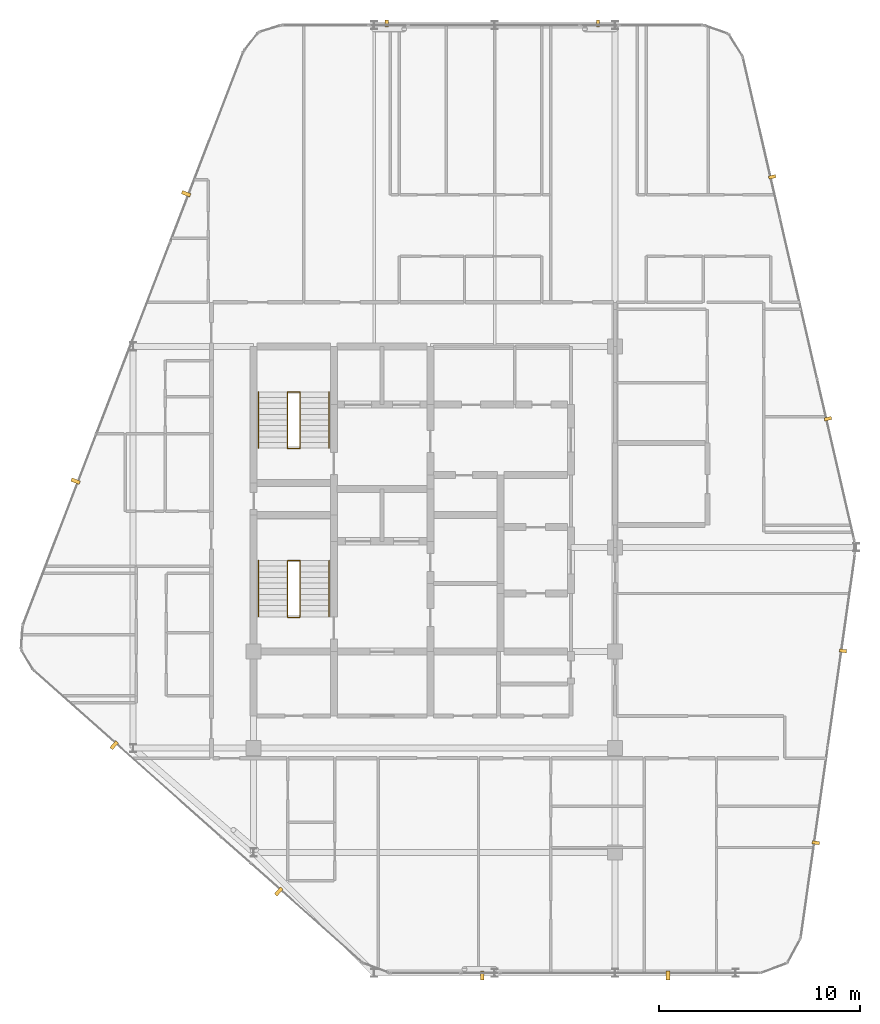
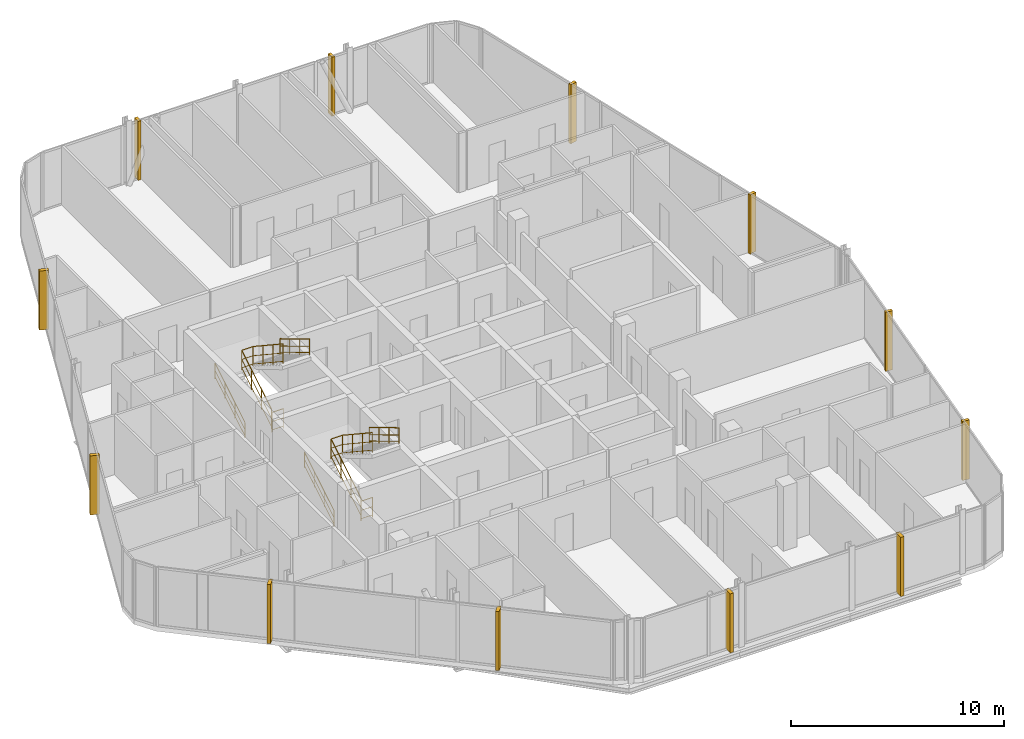
# One storey, part 28 of 28: 12 coverings, 8 railings.
"""IFC4 building model written with IfcOpenShell, lengths in metres."""

from ifc_helpers import new_model, si_unit, direction, frame, origin, origin_2d, place, context, subcontext, project, spatial, rectangle, circle, extrude, material, layer, layer_set, type_object, element, save


model = new_model("IFC4")

# Units and contexts
model_context = context("Model", 3, precision=1e-05, world=origin(), true_north=direction((0.0, 1.0)))
body_context = subcontext(model_context, "Body", "Model", "MODEL_VIEW")
ifc_project = project(units=[si_unit("LENGTHUNIT", "METRE"), si_unit("AREAUNIT", "SQUARE_METRE"), si_unit("VOLUMEUNIT", "CUBIC_METRE"), si_unit("PLANEANGLEUNIT", "RADIAN"), si_unit("MASSUNIT", "GRAM", prefix="KILO")], contexts=[model_context])

# Site, building, storey
site_placement = place(None, origin())
site = spatial("IfcSite", under=ifc_project, at=site_placement, CompositionType="ELEMENT")
building_placement = place(site_placement, origin())
building = spatial("IfcBuilding", under=site, at=building_placement, Name="Keshet Zoharim Tower", CompositionType="ELEMENT")
storey_placement = place(building_placement, frame((0.0, 0.0, 265.800048828125)))
storey = spatial("IfcBuildingStorey", under=building, at=storey_placement, Name="L66", CompositionType="ELEMENT", Elevation=265.800048828125)

# Coverings
ifc_material_1 = material(Name="Concrete C50/60 precast", Category="concrete")
covering_type_1 = type_object("IfcCoveringType", Name="FIN-SOL-360", PredefinedType="CLADDING", material=ifc_material_1)
for number, where, z_axis, x_axis, name in (
    (1, (21.633056640625, 53.97998046875, 0.0), (0.0, 0.0, 1.0), (1.0, 0.0, 0.0), "L66 Vertical Precast Solar Fin 03"),
    (2, (32.14990234375, 53.97998046875, 0.0), (0.0, 0.0, 1.0), (1.0, 0.0, 0.0), "L66 Vertical Precast Solar Fin 04"),
    (3, (40.824951171875, 46.345947265625, 0.0), (0.0, 0.0, 1.0), (0.224829963294, -0.974398012932, 0.0), "L66 Vertical Precast Solar Fin 05"),
    (4, (43.60400390625, 34.302001953125, 0.0), (0.0, 0.0, 1.0), (0.224829963294, -0.974398012932, 0.0), "L66 Vertical Precast Solar Fin 06"),
    (5, (44.35107421875, 22.742919921875, 0.0), (0.0, 0.0, 1.0), (-0.140137464177, -0.990132057422, 0.0), "L66 Vertical Precast Solar Fin 07"),
    (6, (42.998046875, 13.18701171875, 0.0), (0.0, 0.0, 1.0), (-0.140137464177, -0.990132057422, 0.0), "L66 Vertical Precast Solar Fin 08"),
):
    element("IfcCovering", number, at=place(storey_placement, frame(where, z_axis=z_axis, x_axis=x_axis)), inside=storey, type_object=covering_type_1, Name=name, PredefinedType="CLADDING", context=body_context, shape_type="SweptSolid", body=[
        extrude(rectangle(XDim=0.159912109375, YDim=0.360107421875, at=origin_2d()), origin(), (0.0, 0.0, 1.0), 3.389892578125),
    ])
covering_type_2 = type_object("IfcCoveringType", Name="FIN-SOL-450", PredefinedType="CLADDING", material=ifc_material_1)
for number, where, z_axis, x_axis, name in (
    (7, (6.133056640625, 31.194091796875, 0.0), (0.0, 0.0, 1.0), (0.358990003907, 0.933341404361, 0.0), "L66 Vertical Precast Solar Fin 01"),
    (8, (11.637939453125, 45.507080078125, 0.0), (0.0, 0.0, 1.0), (0.358990003907, 0.933341404361, 0.0), "L66 Vertical Precast Solar Fin 02"),
    (9, (35.636962890625, 6.574951171875, 0.0), (0.0, 0.0, 1.0), (-1.0, 0.0, 0.0), "L66 Vertical Precast Solar Fin 09"),
    (10, (26.385986328125, 6.574951171875, 0.0), (0.0, 0.0, 1.0), (-1.0, 0.0, 0.0), "L66 Vertical Precast Solar Fin 10"),
    (11, (16.25, 10.7548828125, 0.0), (0.0, 0.0, 1.0), (-0.747411833563, 0.66436100958, 0.0), "L66 Vertical Precast Solar Fin 11"),
    (12, (8.051025390625, 18.04296875, 0.0), (0.0, 0.0, 1.0), (-0.747411833563, 0.66436100958, 0.0), "L66 Vertical Precast Solar Fin 12"),
):
    element("IfcCovering", number, at=place(storey_placement, frame(where, z_axis=z_axis, x_axis=x_axis)), inside=storey, type_object=covering_type_2, Name=name, PredefinedType="CLADDING", context=body_context, shape_type="SweptSolid", body=[
        extrude(rectangle(XDim=0.179931640625, YDim=0.449951171875, at=origin_2d()), origin(), (0.0, 0.0, 1.0), 3.389892578125),
    ])

# Railings
ifc_material_2 = material(Name="Steel S355", Category="steel")
ifc_layer_1 = layer(ifc_material_2, 0.050048828125)
ifc_layer_set_1 = layer_set([ifc_layer_1], Name="Steel S355")
railing_type_1 = type_object("IfcRailingType", Name="RL-HND-092", PredefinedType="HANDRAIL", material=ifc_layer_set_1)
railing_1_placement = place(storey_placement, frame((15.239990234375, 24.43994140625, 0.168212890625)))
element("IfcRailing", 13, at=railing_1_placement, inside=storey, type_object=railing_type_1, Name="L66 ST-01 Flight 1 Wall Handrail", PredefinedType="HANDRAIL", context=body_context, shape_type="SweptSolid", body=[
    extrude(circle(Radius=0.02392578125, at=origin_2d()), frame((0.0, 0.0, 0.89599609375), z_axis=(0.0, 0.857275202839, 0.514858452973), x_axis=(-1.0, 0.0, 0.0)), (0.0, 0.0, 1.0), 3.26611328125),
    extrude(circle(Radius=0.01611328125, at=origin_2d()), frame((0.0, 0.0, 0.478271484375), z_axis=(0.0, 0.857275202839, 0.514858452973), x_axis=(-1.0, 0.0, 0.0)), (0.0, 0.0, 1.0), 3.26611328125),
    extrude(circle(Radius=0.01611328125, at=origin_2d()), frame((0.0, 0.0, 0.1201171875), z_axis=(0.0, 0.857275202839, 0.514858452973), x_axis=(-1.0, 0.0, 0.0)), (0.0, 0.0, 1.0), 3.26611328125),
    extrude(circle(Radius=0.02099609375, at=origin_2d()), origin(), (0.0, 0.0, 1.0), 0.871826171875),
    extrude(circle(Radius=0.02099609375, at=origin_2d()), frame((0.0, 0.933349609375, 0.560546875)), (0.0, 0.0, 1.0), 0.871826171875),
    extrude(circle(Radius=0.02099609375, at=origin_2d()), frame((0.0, 1.86669921875, 1.12109375)), (0.0, 0.0, 1.0), 0.871826171875),
    extrude(circle(Radius=0.02099609375, at=origin_2d()), frame((0.0, 2.800048828125, 1.681640625)), (0.0, 0.0, 1.0), 0.871826171875),
])
railing_2_placement = place(storey_placement, frame((18.760009765625, 27.239990234375, 2.01806640625)))
element("IfcRailing", 14, at=railing_2_placement, inside=storey, type_object=railing_type_1, Name="L66 ST-01 Flight 2 Wall Handrail", PredefinedType="HANDRAIL", context=body_context, shape_type="SweptSolid", body=[
    extrude(circle(Radius=0.02392578125, at=origin_2d()), frame((0.0, 0.0, 0.89599609375), z_axis=(0.0, -0.857242210791, 0.514913383045), x_axis=(1.0, 0.0, 0.0)), (0.0, 0.0, 1.0), 3.266357421875),
    extrude(circle(Radius=0.01611328125, at=origin_2d()), frame((0.0, 0.0, 0.478271484375), z_axis=(0.0, -0.857242210791, 0.514913383045), x_axis=(1.0, 0.0, 0.0)), (0.0, 0.0, 1.0), 3.266357421875),
    extrude(circle(Radius=0.01611328125, at=origin_2d()), frame((0.0, 0.0, 0.1201171875), z_axis=(0.0, -0.857242210791, 0.514913383045), x_axis=(1.0, 0.0, 0.0)), (0.0, 0.0, 1.0), 3.266357421875),
    extrude(circle(Radius=0.02099609375, at=origin_2d()), origin(), (0.0, 0.0, 1.0), 0.871826171875),
    extrude(circle(Radius=0.02099609375, at=origin_2d()), frame((0.0, -0.933349609375, 0.560546875)), (0.0, 0.0, 1.0), 0.871826171875),
    extrude(circle(Radius=0.02099609375, at=origin_2d()), frame((0.0, -1.86669921875, 1.121337890625)), (0.0, 0.0, 1.0), 0.871826171875),
    extrude(circle(Radius=0.02099609375, at=origin_2d()), frame((0.0, -2.800048828125, 1.681884765625)), (0.0, 0.0, 1.0), 0.871826171875),
])
railing_3_placement = place(storey_placement, frame((15.239990234375, 32.840087890625, 0.168212890625)))
element("IfcRailing", 15, at=railing_3_placement, inside=storey, type_object=railing_type_1, Name="L66 ST-02 Flight 1 Wall Handrail", PredefinedType="HANDRAIL", context=body_context, shape_type="SweptSolid", body=[
    extrude(circle(Radius=0.02392578125, at=origin_2d()), frame((0.0, 0.0, 0.89599609375), z_axis=(0.0, 0.857255387014, 0.514891446264), x_axis=(-1.0, 0.0, 0.0)), (0.0, 0.0, 1.0), 3.26611328125),
    extrude(circle(Radius=0.01611328125, at=origin_2d()), frame((0.0, 0.0, 0.478271484375), z_axis=(0.0, 0.857255387014, 0.514891446264), x_axis=(-1.0, 0.0, 0.0)), (0.0, 0.0, 1.0), 3.26611328125),
    extrude(circle(Radius=0.01611328125, at=origin_2d()), frame((0.0, 0.0, 0.1201171875), z_axis=(0.0, 0.857255387014, 0.514891446264), x_axis=(-1.0, 0.0, 0.0)), (0.0, 0.0, 1.0), 3.26611328125),
    extrude(circle(Radius=0.02099609375, at=origin_2d()), origin(), (0.0, 0.0, 1.0), 0.871826171875),
    extrude(circle(Radius=0.02099609375, at=origin_2d()), frame((0.0, 0.933349609375, 0.560546875)), (0.0, 0.0, 1.0), 0.871826171875),
    extrude(circle(Radius=0.02099609375, at=origin_2d()), frame((0.0, 1.866455078125, 1.12109375)), (0.0, 0.0, 1.0), 0.871826171875),
    extrude(circle(Radius=0.02099609375, at=origin_2d()), frame((0.0, 2.7998046875, 1.681640625)), (0.0, 0.0, 1.0), 0.871826171875),
])
railing_4_placement = place(storey_placement, frame((18.760009765625, 35.639892578125, 2.01806640625)))
element("IfcRailing", 16, at=railing_4_placement, inside=storey, type_object=railing_type_1, Name="L66 ST-02 Flight 2 Wall Handrail", PredefinedType="HANDRAIL", context=body_context, shape_type="SweptSolid", body=[
    extrude(circle(Radius=0.02392578125, at=origin_2d()), frame((0.0, 0.0, 0.89599609375), z_axis=(0.0, -0.857222391501, 0.514946377315), x_axis=(1.0, 0.0, 0.0)), (0.0, 0.0, 1.0), 3.26611328125),
    extrude(circle(Radius=0.01611328125, at=origin_2d()), frame((0.0, 0.0, 0.478271484375), z_axis=(0.0, -0.857222391501, 0.514946377315), x_axis=(1.0, 0.0, 0.0)), (0.0, 0.0, 1.0), 3.26611328125),
    extrude(circle(Radius=0.01611328125, at=origin_2d()), frame((0.0, 0.0, 0.1201171875), z_axis=(0.0, -0.857222391501, 0.514946377315), x_axis=(1.0, 0.0, 0.0)), (0.0, 0.0, 1.0), 3.26611328125),
    extrude(circle(Radius=0.02099609375, at=origin_2d()), origin(), (0.0, 0.0, 1.0), 0.871826171875),
    extrude(circle(Radius=0.02099609375, at=origin_2d()), frame((0.0, -0.933349609375, 0.560546875)), (0.0, 0.0, 1.0), 0.871826171875),
    extrude(circle(Radius=0.02099609375, at=origin_2d()), frame((0.0, -1.866455078125, 1.121337890625)), (0.0, 0.0, 1.0), 0.871826171875),
    extrude(circle(Radius=0.02099609375, at=origin_2d()), frame((0.0, -2.7998046875, 1.681884765625)), (0.0, 0.0, 1.0), 0.871826171875),
])
ifc_layer_2 = layer(ifc_material_2, 0.06005859375)
ifc_layer_set_2 = layer_set([ifc_layer_2], Name="Steel S355")
railing_type_2 = type_object("IfcRailingType", Name="RL-STG-115", PredefinedType="GUARDRAIL", material=ifc_layer_set_2)
railing_5_placement = place(storey_placement, frame((16.68994140625, 24.43994140625, 0.168212890625)))
element("IfcRailing", 17, at=railing_5_placement, inside=storey, type_object=railing_type_2, Name="L66 ST-01 Inner Well Guardrail", PredefinedType="GUARDRAIL", context=body_context, shape_type="SweptSolid", body=[
    extrude(circle(Radius=0.02392578125, at=origin_2d()), frame((0.0, 0.0, 1.1259765625), z_axis=(0.0, 0.857275202839, 0.514858452973), x_axis=(-1.0, 0.0, 0.0)), (0.0, 0.0, 1.0), 3.26611328125),
    extrude(circle(Radius=0.01611328125, at=origin_2d()), frame((0.0, 0.0, 0.597900390625), z_axis=(0.0, 0.857275202839, 0.514858452973), x_axis=(-1.0, 0.0, 0.0)), (0.0, 0.0, 1.0), 3.26611328125),
    extrude(circle(Radius=0.01611328125, at=origin_2d()), frame((0.0, 0.0, 0.1201171875), z_axis=(0.0, 0.857275202839, 0.514858452973), x_axis=(-1.0, 0.0, 0.0)), (0.0, 0.0, 1.0), 3.26611328125),
    extrude(circle(Radius=0.02392578125, at=origin_2d()), frame((0.0, 2.800048828125, 2.8076171875), z_axis=(1.0, 0.0, 0.0), x_axis=(0.0, 1.0, 0.0)), (0.0, 0.0, 1.0), 0.6201171875),
    extrude(circle(Radius=0.01611328125, at=origin_2d()), frame((0.0, 2.800048828125, 2.279541015625), z_axis=(1.0, 0.0, 0.0), x_axis=(0.0, 1.0, 0.0)), (0.0, 0.0, 1.0), 0.6201171875),
    extrude(circle(Radius=0.01611328125, at=origin_2d()), frame((0.0, 2.800048828125, 1.8017578125), z_axis=(1.0, 0.0, 0.0), x_axis=(0.0, 1.0, 0.0)), (0.0, 0.0, 1.0), 0.6201171875),
    extrude(circle(Radius=0.02392578125, at=origin_2d()), frame((0.6201171875, 2.800048828125, 2.8076171875), z_axis=(0.0, -0.834326358476, 0.551270829586), x_axis=(1.0, 0.0, 0.0)), (0.0, 0.0, 1.0), 3.35595703125),
    extrude(circle(Radius=0.01611328125, at=origin_2d()), frame((0.6201171875, 2.800048828125, 2.279541015625), z_axis=(0.0, -0.834326358476, 0.551270829586), x_axis=(1.0, 0.0, 0.0)), (0.0, 0.0, 1.0), 3.35595703125),
    extrude(circle(Radius=0.01611328125, at=origin_2d()), frame((0.6201171875, 2.800048828125, 1.8017578125), z_axis=(0.0, -0.834326358476, 0.551270829586), x_axis=(1.0, 0.0, 0.0)), (0.0, 0.0, 1.0), 3.35595703125),
    extrude(circle(Radius=0.02099609375, at=origin_2d()), origin(), (0.0, 0.0, 1.0), 1.101806640625),
    extrude(circle(Radius=0.02099609375, at=origin_2d()), frame((0.0, 0.933349609375, 0.560546875)), (0.0, 0.0, 1.0), 1.101806640625),
    extrude(circle(Radius=0.02099609375, at=origin_2d()), frame((0.0, 1.86669921875, 1.12109375)), (0.0, 0.0, 1.0), 1.101806640625),
    extrude(circle(Radius=0.02099609375, at=origin_2d()), frame((0.0, 2.800048828125, 1.681640625)), (0.0, 0.0, 1.0), 1.101806640625),
    extrude(circle(Radius=0.02099609375, at=origin_2d()), frame((0.6201171875, 2.800048828125, 1.681640625)), (0.0, 0.0, 1.0), 1.101806640625),
    extrude(circle(Radius=0.02099609375, at=origin_2d()), frame((0.6201171875, 1.86669921875, 2.29833984375)), (0.0, 0.0, 1.0), 1.101806640625),
    extrude(circle(Radius=0.02099609375, at=origin_2d()), frame((0.6201171875, 0.933349609375, 2.9150390625)), (0.0, 0.0, 1.0), 1.101806640625),
    extrude(circle(Radius=0.02099609375, at=origin_2d()), frame((0.6201171875, 0.0, 3.53173828125)), (0.0, 0.0, 1.0), 1.101806640625),
])
railing_6_placement = place(storey_placement, frame((16.68994140625, 24.409912109375, 0.0)))
element("IfcRailing", 18, at=railing_6_placement, inside=storey, type_object=railing_type_2, Name="L66 ST-01 Stairwell Floor Guardrail", PredefinedType="GUARDRAIL", context=body_context, shape_type="SweptSolid", body=[
    extrude(circle(Radius=0.02392578125, at=origin_2d()), frame((0.0, 0.0, 1.1259765625), z_axis=(1.0, 0.0, 0.0), x_axis=(0.0, 1.0, 0.0)), (0.0, 0.0, 1.0), 0.6201171875),
    extrude(circle(Radius=0.01611328125, at=origin_2d()), frame((0.0, 0.0, 0.597900390625), z_axis=(1.0, 0.0, 0.0), x_axis=(0.0, 1.0, 0.0)), (0.0, 0.0, 1.0), 0.6201171875),
    extrude(circle(Radius=0.01611328125, at=origin_2d()), frame((0.0, 0.0, 0.1201171875), z_axis=(1.0, 0.0, 0.0), x_axis=(0.0, 1.0, 0.0)), (0.0, 0.0, 1.0), 0.6201171875),
    extrude(circle(Radius=0.02099609375, at=origin_2d()), origin(), (0.0, 0.0, 1.0), 1.101806640625),
    extrude(circle(Radius=0.02099609375, at=origin_2d()), frame((0.6201171875, 0.0, 0.0)), (0.0, 0.0, 1.0), 1.101806640625),
])
railing_7_placement = place(storey_placement, frame((16.68994140625, 32.840087890625, 0.168212890625)))
element("IfcRailing", 19, at=railing_7_placement, inside=storey, type_object=railing_type_2, Name="L66 ST-02 Inner Well Guardrail", PredefinedType="GUARDRAIL", context=body_context, shape_type="SweptSolid", body=[
    extrude(circle(Radius=0.02392578125, at=origin_2d()), frame((0.0, 0.0, 1.1259765625), z_axis=(0.0, 0.857255387014, 0.514891446264), x_axis=(-1.0, 0.0, 0.0)), (0.0, 0.0, 1.0), 3.26611328125),
    extrude(circle(Radius=0.01611328125, at=origin_2d()), frame((0.0, 0.0, 0.597900390625), z_axis=(0.0, 0.857255387014, 0.514891446264), x_axis=(-1.0, 0.0, 0.0)), (0.0, 0.0, 1.0), 3.26611328125),
    extrude(circle(Radius=0.01611328125, at=origin_2d()), frame((0.0, 0.0, 0.1201171875), z_axis=(0.0, 0.857255387014, 0.514891446264), x_axis=(-1.0, 0.0, 0.0)), (0.0, 0.0, 1.0), 3.26611328125),
    extrude(circle(Radius=0.02392578125, at=origin_2d()), frame((0.0, 2.7998046875, 2.8076171875), z_axis=(1.0, 0.0, 0.0), x_axis=(0.0, 1.0, 0.0)), (0.0, 0.0, 1.0), 0.6201171875),
    extrude(circle(Radius=0.01611328125, at=origin_2d()), frame((0.0, 2.7998046875, 2.279541015625), z_axis=(1.0, 0.0, 0.0), x_axis=(0.0, 1.0, 0.0)), (0.0, 0.0, 1.0), 0.6201171875),
    extrude(circle(Radius=0.01611328125, at=origin_2d()), frame((0.0, 2.7998046875, 1.8017578125), z_axis=(1.0, 0.0, 0.0), x_axis=(0.0, 1.0, 0.0)), (0.0, 0.0, 1.0), 0.6201171875),
    extrude(circle(Radius=0.02392578125, at=origin_2d()), frame((0.6201171875, 2.7998046875, 2.8076171875), z_axis=(0.0, -0.834304248922, 0.551304290053), x_axis=(1.0, 0.0, 0.0)), (0.0, 0.0, 1.0), 3.35595703125),
    extrude(circle(Radius=0.01611328125, at=origin_2d()), frame((0.6201171875, 2.7998046875, 2.279541015625), z_axis=(0.0, -0.834304248922, 0.551304290053), x_axis=(1.0, 0.0, 0.0)), (0.0, 0.0, 1.0), 3.35595703125),
    extrude(circle(Radius=0.01611328125, at=origin_2d()), frame((0.6201171875, 2.7998046875, 1.8017578125), z_axis=(0.0, -0.834304248922, 0.551304290053), x_axis=(1.0, 0.0, 0.0)), (0.0, 0.0, 1.0), 3.35595703125),
    extrude(circle(Radius=0.02099609375, at=origin_2d()), origin(), (0.0, 0.0, 1.0), 1.101806640625),
    extrude(circle(Radius=0.02099609375, at=origin_2d()), frame((0.0, 0.933349609375, 0.560546875)), (0.0, 0.0, 1.0), 1.101806640625),
    extrude(circle(Radius=0.02099609375, at=origin_2d()), frame((0.0, 1.866455078125, 1.12109375)), (0.0, 0.0, 1.0), 1.101806640625),
    extrude(circle(Radius=0.02099609375, at=origin_2d()), frame((0.0, 2.7998046875, 1.681640625)), (0.0, 0.0, 1.0), 1.101806640625),
    extrude(circle(Radius=0.02099609375, at=origin_2d()), frame((0.6201171875, 2.7998046875, 1.681640625)), (0.0, 0.0, 1.0), 1.101806640625),
    extrude(circle(Radius=0.02099609375, at=origin_2d()), frame((0.6201171875, 1.866455078125, 2.29833984375)), (0.0, 0.0, 1.0), 1.101806640625),
    extrude(circle(Radius=0.02099609375, at=origin_2d()), frame((0.6201171875, 0.933349609375, 2.9150390625)), (0.0, 0.0, 1.0), 1.101806640625),
    extrude(circle(Radius=0.02099609375, at=origin_2d()), frame((0.6201171875, 0.0, 3.53173828125)), (0.0, 0.0, 1.0), 1.101806640625),
])
railing_8_placement = place(storey_placement, frame((16.68994140625, 32.81005859375, 0.0)))
element("IfcRailing", 20, at=railing_8_placement, inside=storey, type_object=railing_type_2, Name="L66 ST-02 Stairwell Floor Guardrail", PredefinedType="GUARDRAIL", context=body_context, shape_type="SweptSolid", body=[
    extrude(circle(Radius=0.02392578125, at=origin_2d()), frame((0.0, 0.0, 1.1259765625), z_axis=(1.0, 0.0, 0.0), x_axis=(0.0, 1.0, 0.0)), (0.0, 0.0, 1.0), 0.6201171875),
    extrude(circle(Radius=0.01611328125, at=origin_2d()), frame((0.0, 0.0, 0.597900390625), z_axis=(1.0, 0.0, 0.0), x_axis=(0.0, 1.0, 0.0)), (0.0, 0.0, 1.0), 0.6201171875),
    extrude(circle(Radius=0.01611328125, at=origin_2d()), frame((0.0, 0.0, 0.1201171875), z_axis=(1.0, 0.0, 0.0), x_axis=(0.0, 1.0, 0.0)), (0.0, 0.0, 1.0), 0.6201171875),
    extrude(circle(Radius=0.02099609375, at=origin_2d()), origin(), (0.0, 0.0, 1.0), 1.101806640625),
    extrude(circle(Radius=0.02099609375, at=origin_2d()), frame((0.6201171875, 0.0, 0.0)), (0.0, 0.0, 1.0), 1.101806640625),
])

save(model, "model.ifc")
